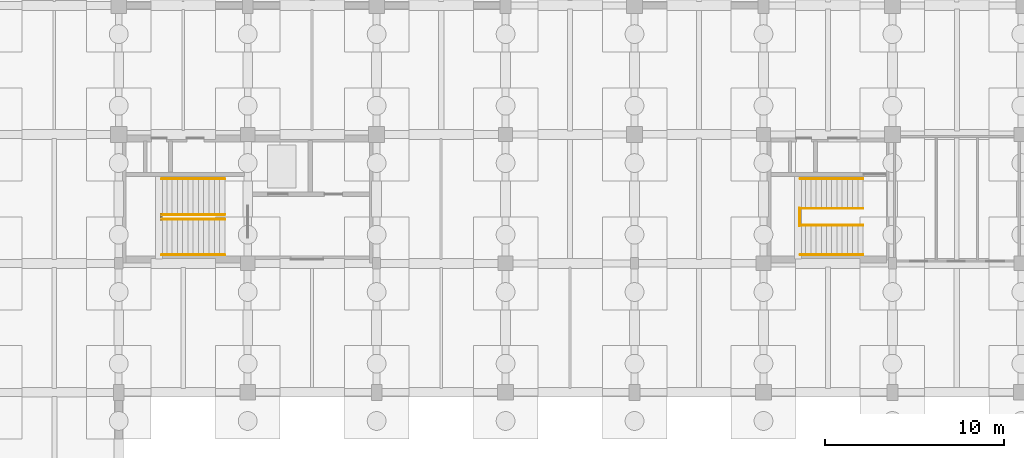
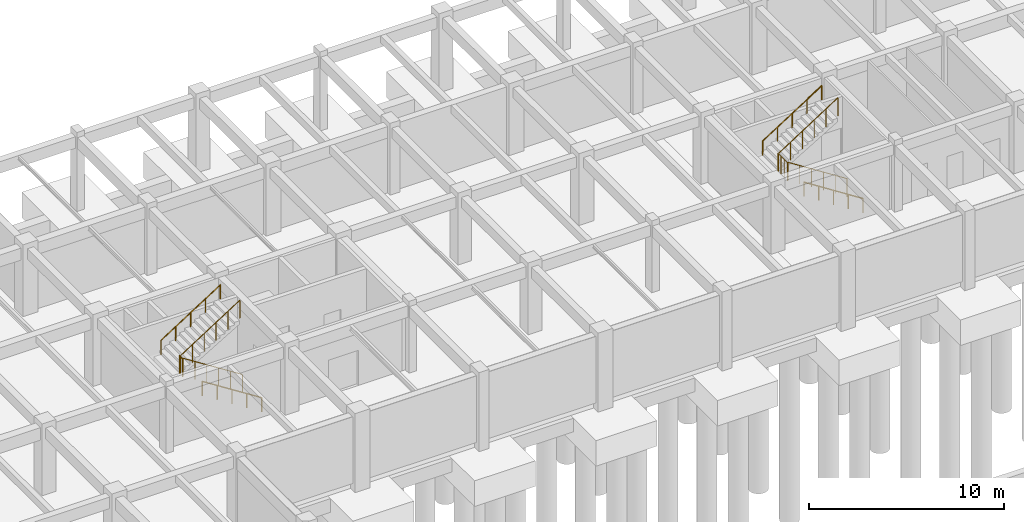
# One storey, part 45 of 47: 10 railings.
"""IFC4 building model written with IfcOpenShell, lengths in metres."""

from ifc_helpers import new_model, si_unit, direction, frame, origin, origin_2d, place, context, subcontext, project, spatial, circle, extrude, material, type_object, element, save


model = new_model("IFC4")

# Units and contexts
model_context = context("Model", 3, precision=1e-05, world=origin(), true_north=direction((0.0, 1.0)))
body_context = subcontext(model_context, "Body", "Model", "MODEL_VIEW")
ifc_project = project(units=[si_unit("LENGTHUNIT", "METRE"), si_unit("AREAUNIT", "SQUARE_METRE"), si_unit("VOLUMEUNIT", "CUBIC_METRE"), si_unit("PLANEANGLEUNIT", "RADIAN"), si_unit("MASSUNIT", "GRAM", prefix="KILO")], contexts=[model_context])

# Site, building, storey
site_placement = place(None, origin())
site = spatial("IfcSite", under=ifc_project, at=site_placement, CompositionType="ELEMENT")
building_placement = place(site_placement, origin())
building = spatial("IfcBuilding", under=site, at=building_placement, Name="Thalmaran Polytechnic", CompositionType="ELEMENT")
storey_placement = place(building_placement, frame((0.0, 0.0, -4.5)))
storey = spatial("IfcBuildingStorey", under=building, at=storey_placement, Name="B1", CompositionType="ELEMENT", Elevation=-4.5)

# Railings
ifc_material = material(Name="Stainless steel 316", Category="steel")
railing_type_1 = type_object("IfcRailingType", Name="RL-GR01", PredefinedType="GUARDRAIL", material=ifc_material)
railing_1_placement = place(storey_placement, frame((27.52001953125, 103.260009765625, 0.0)))
element("IfcRailing", 1, at=railing_1_placement, inside=storey, type_object=railing_type_1, Name="ST2 B1 Lower Flight Guardrail", PredefinedType="GUARDRAIL", context=body_context, shape_type="SweptSolid", body=[
    extrude(circle(Radius=0.02392578125, at=origin_2d()), frame((0.0, 0.0, 1.1259765625), z_axis=(-0.84257692701, 0.0, 0.53857601327), x_axis=(0.0, -1.0, 0.0)), (0.0, 0.0, 1.0), 4.177734375),
    extrude(circle(Radius=0.02099609375, at=origin_2d()), origin(), (0.0, 0.0, 1.0), 1.101806640625),
    extrude(circle(Radius=0.02099609375, at=origin_2d()), frame((-0.7041015625, 0.0, 0.449951171875)), (0.0, 0.0, 1.0), 1.101806640625),
    extrude(circle(Radius=0.02099609375, at=origin_2d()), frame((-1.407958984375, 0.0, 0.89990234375)), (0.0, 0.0, 1.0), 1.101806640625),
    extrude(circle(Radius=0.02099609375, at=origin_2d()), frame((-2.112060546875, 0.0, 1.35009765625)), (0.0, 0.0, 1.0), 1.101806640625),
    extrude(circle(Radius=0.02099609375, at=origin_2d()), frame((-2.81591796875, 0.0, 1.800048828125)), (0.0, 0.0, 1.0), 1.101806640625),
    extrude(circle(Radius=0.02099609375, at=origin_2d()), frame((-3.52001953125, 0.0, 2.25)), (0.0, 0.0, 1.0), 1.101806640625),
])
railing_2_placement = place(storey_placement, frame((23.9599609375, 103.239990234375, 2.25)))
element("IfcRailing", 2, at=railing_2_placement, inside=storey, type_object=railing_type_1, Name="ST2 B1 Half-Landing Well Guardrail", PredefinedType="GUARDRAIL", context=body_context, shape_type="SweptSolid", body=[
    extrude(circle(Radius=0.02392578125, at=origin_2d()), frame((0.0, 0.0, 1.1259765625), z_axis=(0.0, 1.0, 0.0), x_axis=(-1.0, 0.0, 0.0)), (0.0, 0.0, 1.0), 0.300048828125),
    extrude(circle(Radius=0.02099609375, at=origin_2d()), origin(), (0.0, 0.0, 1.0), 1.101806640625),
    extrude(circle(Radius=0.02099609375, at=origin_2d()), frame((0.0, 0.300048828125, 0.0)), (0.0, 0.0, 1.0), 1.101806640625),
])
railing_3_placement = place(storey_placement, frame((24.0, 103.52001953125, 2.25)))
element("IfcRailing", 3, at=railing_3_placement, inside=storey, type_object=railing_type_1, Name="ST2 B1 Upper Flight Guardrail", PredefinedType="GUARDRAIL", context=body_context, shape_type="SweptSolid", body=[
    extrude(circle(Radius=0.02392578125, at=origin_2d()), frame((0.0, 0.0, 1.1259765625), z_axis=(0.84257692701, 0.0, 0.53857601327), x_axis=(0.0, 1.0, 0.0)), (0.0, 0.0, 1.0), 4.177734375),
    extrude(circle(Radius=0.02099609375, at=origin_2d()), origin(), (0.0, 0.0, 1.0), 1.101806640625),
    extrude(circle(Radius=0.02099609375, at=origin_2d()), frame((0.7041015625, 0.0, 0.449951171875)), (0.0, 0.0, 1.0), 1.101806640625),
    extrude(circle(Radius=0.02099609375, at=origin_2d()), frame((1.407958984375, 0.0, 0.89990234375)), (0.0, 0.0, 1.0), 1.101806640625),
    extrude(circle(Radius=0.02099609375, at=origin_2d()), frame((2.112060546875, 0.0, 1.35009765625)), (0.0, 0.0, 1.0), 1.101806640625),
    extrude(circle(Radius=0.02099609375, at=origin_2d()), frame((2.81591796875, 0.0, 1.800048828125)), (0.0, 0.0, 1.0), 1.101806640625),
    extrude(circle(Radius=0.02099609375, at=origin_2d()), frame((3.52001953125, 0.0, 2.25)), (0.0, 0.0, 1.0), 1.101806640625),
])
railing_4_placement = place(storey_placement, frame((63.159912109375, 102.919921875, 0.0)))
element("IfcRailing", 4, at=railing_4_placement, inside=storey, type_object=railing_type_1, Name="ST6 B1 Lower Flight Guardrail", PredefinedType="GUARDRAIL", context=body_context, shape_type="SweptSolid", body=[
    extrude(circle(Radius=0.02392578125, at=origin_2d()), frame((0.0, 0.0, 1.1259765625), z_axis=(-0.841178475377, 0.0, 0.540757591313), x_axis=(0.0, -1.0, 0.0)), (0.0, 0.0, 1.0), 4.160888671875),
    extrude(circle(Radius=0.02099609375, at=origin_2d()), origin(), (0.0, 0.0, 1.0), 1.101806640625),
    extrude(circle(Radius=0.02099609375, at=origin_2d()), frame((-0.699951171875, 0.0, 0.449951171875)), (0.0, 0.0, 1.0), 1.101806640625),
    extrude(circle(Radius=0.02099609375, at=origin_2d()), frame((-1.39990234375, 0.0, 0.89990234375)), (0.0, 0.0, 1.0), 1.101806640625),
    extrude(circle(Radius=0.02099609375, at=origin_2d()), frame((-2.10009765625, 0.0, 1.35009765625)), (0.0, 0.0, 1.0), 1.101806640625),
    extrude(circle(Radius=0.02099609375, at=origin_2d()), frame((-2.800048828125, 0.0, 1.800048828125)), (0.0, 0.0, 1.0), 1.101806640625),
    extrude(circle(Radius=0.02099609375, at=origin_2d()), frame((-3.5, 0.0, 2.25)), (0.0, 0.0, 1.0), 1.101806640625),
])
railing_5_placement = place(storey_placement, frame((59.6201171875, 102.89990234375, 2.25)))
element("IfcRailing", 5, at=railing_5_placement, inside=storey, type_object=railing_type_1, Name="ST6 B1 Half-Landing Well Guardrail", PredefinedType="GUARDRAIL", context=body_context, shape_type="SweptSolid", body=[
    extrude(circle(Radius=0.02392578125, at=origin_2d()), frame((0.0, 0.0, 1.1259765625), z_axis=(0.0, 1.0, 0.0), x_axis=(-1.0, 0.0, 0.0)), (0.0, 0.0, 1.0), 0.97998046875),
    extrude(circle(Radius=0.02099609375, at=origin_2d()), origin(), (0.0, 0.0, 1.0), 1.101806640625),
    extrude(circle(Radius=0.02099609375, at=origin_2d()), frame((0.0, 0.32666015625, 0.0)), (0.0, 0.0, 1.0), 1.101806640625),
    extrude(circle(Radius=0.02099609375, at=origin_2d()), frame((0.0, 0.6533203125, 0.0)), (0.0, 0.0, 1.0), 1.101806640625),
    extrude(circle(Radius=0.02099609375, at=origin_2d()), frame((0.0, 0.97998046875, 0.0)), (0.0, 0.0, 1.0), 1.101806640625),
])
railing_6_placement = place(storey_placement, frame((59.659912109375, 103.860107421875, 2.25)))
element("IfcRailing", 6, at=railing_6_placement, inside=storey, type_object=railing_type_1, Name="ST6 B1 Upper Flight Guardrail", PredefinedType="GUARDRAIL", context=body_context, shape_type="SweptSolid", body=[
    extrude(circle(Radius=0.02392578125, at=origin_2d()), frame((0.0, 0.0, 1.1259765625), z_axis=(0.841178475377, 0.0, 0.540757591313), x_axis=(0.0, 1.0, 0.0)), (0.0, 0.0, 1.0), 4.160888671875),
    extrude(circle(Radius=0.02099609375, at=origin_2d()), origin(), (0.0, 0.0, 1.0), 1.101806640625),
    extrude(circle(Radius=0.02099609375, at=origin_2d()), frame((0.699951171875, 0.0, 0.449951171875)), (0.0, 0.0, 1.0), 1.101806640625),
    extrude(circle(Radius=0.02099609375, at=origin_2d()), frame((1.39990234375, 0.0, 0.89990234375)), (0.0, 0.0, 1.0), 1.101806640625),
    extrude(circle(Radius=0.02099609375, at=origin_2d()), frame((2.10009765625, 0.0, 1.35009765625)), (0.0, 0.0, 1.0), 1.101806640625),
    extrude(circle(Radius=0.02099609375, at=origin_2d()), frame((2.800048828125, 0.0, 1.800048828125)), (0.0, 0.0, 1.0), 1.101806640625),
    extrude(circle(Radius=0.02099609375, at=origin_2d()), frame((3.5, 0.0, 2.25)), (0.0, 0.0, 1.0), 1.101806640625),
])
railing_type_2 = type_object("IfcRailingType", Name="RL-HR01", PredefinedType="HANDRAIL", material=ifc_material)
railing_7_placement = place(storey_placement, frame((27.52001953125, 101.280029296875, 0.0)))
element("IfcRailing", 7, at=railing_7_placement, inside=storey, type_object=railing_type_2, Name="ST2 B1 Flight 1 Handrail", PredefinedType="HANDRAIL", context=body_context, shape_type="SweptSolid", body=[
    extrude(circle(Radius=0.02392578125, at=origin_2d()), frame((0.0, 0.0, 0.8759765625), z_axis=(-0.84257692701, 0.0, 0.53857601327), x_axis=(0.0, -1.0, 0.0)), (0.0, 0.0, 1.0), 4.177734375),
    extrude(circle(Radius=0.02099609375, at=origin_2d()), origin(), (0.0, 0.0, 1.0), 0.851806640625),
    extrude(circle(Radius=0.02099609375, at=origin_2d()), frame((-0.8798828125, 0.0, 0.5625)), (0.0, 0.0, 1.0), 0.851806640625),
    extrude(circle(Radius=0.02099609375, at=origin_2d()), frame((-1.760009765625, 0.0, 1.125)), (0.0, 0.0, 1.0), 0.851806640625),
    extrude(circle(Radius=0.02099609375, at=origin_2d()), frame((-2.64013671875, 0.0, 1.6875)), (0.0, 0.0, 1.0), 0.851806640625),
    extrude(circle(Radius=0.02099609375, at=origin_2d()), frame((-3.52001953125, 0.0, 2.25)), (0.0, 0.0, 1.0), 0.851806640625),
])
railing_8_placement = place(storey_placement, frame((24.0, 105.52001953125, 2.25)))
element("IfcRailing", 8, at=railing_8_placement, inside=storey, type_object=railing_type_2, Name="ST2 B1 Flight 2 Handrail", PredefinedType="HANDRAIL", context=body_context, shape_type="SweptSolid", body=[
    extrude(circle(Radius=0.02392578125, at=origin_2d()), frame((0.0, 0.0, 0.8759765625), z_axis=(0.84257692701, 0.0, 0.53857601327), x_axis=(0.0, 1.0, 0.0)), (0.0, 0.0, 1.0), 4.177734375),
    extrude(circle(Radius=0.02099609375, at=origin_2d()), origin(), (0.0, 0.0, 1.0), 0.851806640625),
    extrude(circle(Radius=0.02099609375, at=origin_2d()), frame((0.8798828125, 0.0, 0.5625)), (0.0, 0.0, 1.0), 0.851806640625),
    extrude(circle(Radius=0.02099609375, at=origin_2d()), frame((1.760009765625, 0.0, 1.125)), (0.0, 0.0, 1.0), 0.851806640625),
    extrude(circle(Radius=0.02099609375, at=origin_2d()), frame((2.64013671875, 0.0, 1.6875)), (0.0, 0.0, 1.0), 0.851806640625),
    extrude(circle(Radius=0.02099609375, at=origin_2d()), frame((3.52001953125, 0.0, 2.25)), (0.0, 0.0, 1.0), 0.851806640625),
])
railing_9_placement = place(storey_placement, frame((63.159912109375, 101.280029296875, 0.0)))
element("IfcRailing", 9, at=railing_9_placement, inside=storey, type_object=railing_type_2, Name="ST6 B1 Flight 1 Handrail", PredefinedType="HANDRAIL", context=body_context, shape_type="SweptSolid", body=[
    extrude(circle(Radius=0.02392578125, at=origin_2d()), frame((0.0, 0.0, 0.8759765625), z_axis=(-0.841178475377, 0.0, 0.540757591313), x_axis=(0.0, -1.0, 0.0)), (0.0, 0.0, 1.0), 4.160888671875),
    extrude(circle(Radius=0.02099609375, at=origin_2d()), origin(), (0.0, 0.0, 1.0), 0.851806640625),
    extrude(circle(Radius=0.02099609375, at=origin_2d()), frame((-0.875, 0.0, 0.5625)), (0.0, 0.0, 1.0), 0.851806640625),
    extrude(circle(Radius=0.02099609375, at=origin_2d()), frame((-1.75, 0.0, 1.125)), (0.0, 0.0, 1.0), 0.851806640625),
    extrude(circle(Radius=0.02099609375, at=origin_2d()), frame((-2.625, 0.0, 1.6875)), (0.0, 0.0, 1.0), 0.851806640625),
    extrude(circle(Radius=0.02099609375, at=origin_2d()), frame((-3.5, 0.0, 2.25)), (0.0, 0.0, 1.0), 0.851806640625),
])
railing_10_placement = place(storey_placement, frame((59.659912109375, 105.52001953125, 2.25)))
element("IfcRailing", 10, at=railing_10_placement, inside=storey, type_object=railing_type_2, Name="ST6 B1 Flight 2 Handrail", PredefinedType="HANDRAIL", context=body_context, shape_type="SweptSolid", body=[
    extrude(circle(Radius=0.02392578125, at=origin_2d()), frame((0.0, 0.0, 0.8759765625), z_axis=(0.841178475377, 0.0, 0.540757591313), x_axis=(0.0, 1.0, 0.0)), (0.0, 0.0, 1.0), 4.160888671875),
    extrude(circle(Radius=0.02099609375, at=origin_2d()), origin(), (0.0, 0.0, 1.0), 0.851806640625),
    extrude(circle(Radius=0.02099609375, at=origin_2d()), frame((0.875, 0.0, 0.5625)), (0.0, 0.0, 1.0), 0.851806640625),
    extrude(circle(Radius=0.02099609375, at=origin_2d()), frame((1.75, 0.0, 1.125)), (0.0, 0.0, 1.0), 0.851806640625),
    extrude(circle(Radius=0.02099609375, at=origin_2d()), frame((2.625, 0.0, 1.6875)), (0.0, 0.0, 1.0), 0.851806640625),
    extrude(circle(Radius=0.02099609375, at=origin_2d()), frame((3.5, 0.0, 2.25)), (0.0, 0.0, 1.0), 0.851806640625),
])

save(model, "model.ifc")
